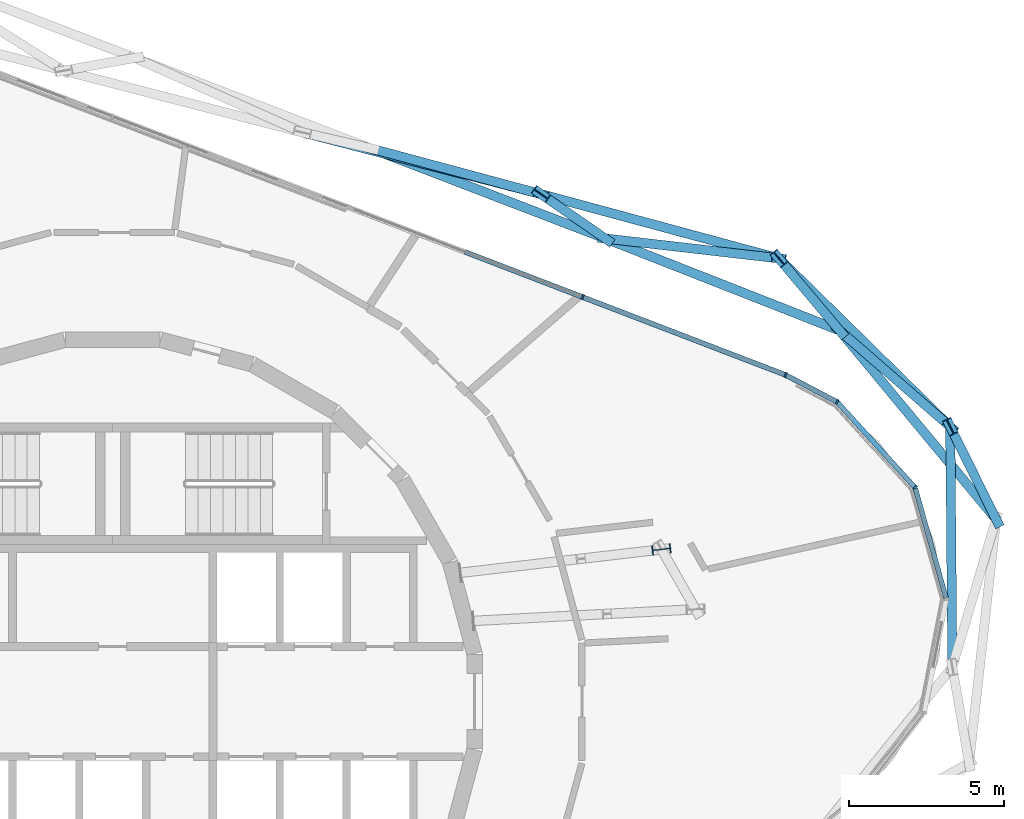
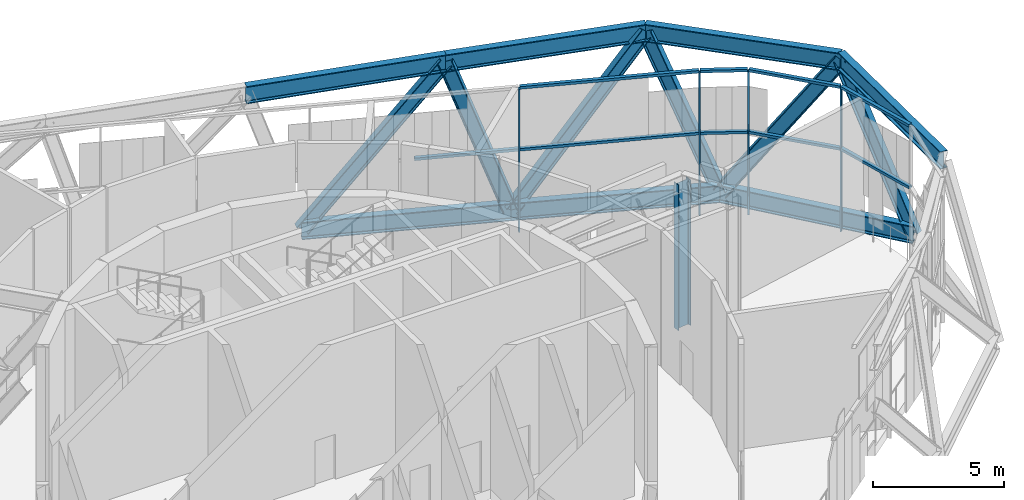
# One storey, part 9 of 25: 27 members, 2 elements without a shape of their own.
"""IFC4 building model written with IfcOpenShell, lengths in metres."""

from ifc_helpers import new_model, si_unit, direction, frame, origin, origin_2d, place, context, subcontext, project, spatial, rectangle, i_section, extrude, material, layer, layer_set, material_profile, profile_set, type_object, element, aggregate, save


model = new_model("IFC4")

# Units and contexts
model_context = context("Model", 3, precision=1e-05, world=origin(), true_north=direction((0.0, 1.0)))
body_context = subcontext(model_context, "Body", "Model", "MODEL_VIEW")
ifc_project = project(units=[si_unit("LENGTHUNIT", "METRE"), si_unit("AREAUNIT", "SQUARE_METRE"), si_unit("VOLUMEUNIT", "CUBIC_METRE"), si_unit("PLANEANGLEUNIT", "RADIAN"), si_unit("MASSUNIT", "GRAM", prefix="KILO")], contexts=[model_context])

# Site, building, storey
site_placement = place(None, origin())
site = spatial("IfcSite", under=ifc_project, at=site_placement, CompositionType="ELEMENT")
building_placement = place(site_placement, origin())
building = spatial("IfcBuilding", under=site, at=building_placement, Name="Spindle Arch Residences", CompositionType="ELEMENT")
storey_placement = place(building_placement, frame((0.0, 0.0, 291.39990234375)))
storey = spatial("IfcBuildingStorey", under=building, at=storey_placement, Name="L75", CompositionType="ELEMENT", Elevation=291.39990234375)

# Members
ifc_material_1 = material(Name="Steel S460ML, intumescent coating R 240", Category="steel")
ifc_material_profile_1 = material_profile(ifc_material_1, i_section(OverallWidth=0.302978515625, OverallDepth=0.81396484375, WebThickness=0.02099609375, FlangeThickness=0.0400390625, FilletRadius=0.030029296875, at=origin_2d()), Name="HEM 800")
ifc_profile_set_1 = profile_set([ifc_material_profile_1], Name="Steel S460ML, intumescent coating R 240")
member_type_1 = type_object("IfcMemberType", Name="Belt truss chord HEM 800", PredefinedType="CHORD", material=ifc_profile_set_1)
member_1_placement = place(storey_placement, frame((28.43505859375, 5.86767578125, -0.85693359375), z_axis=(-0.63825315383, 0.769826546455, 0.0), x_axis=(-0.769826546455, -0.63825315383, 0.0)))
element("IfcMember", 1, at=member_1_placement, inside=storey, type_object=member_type_1, Name="Belt truss bottom chord L75.4", PredefinedType="CHORD", context=body_context, shape_type="SweptSolid", body=[
    extrude(i_section(OverallWidth=0.302978515625, OverallDepth=0.81396484375, WebThickness=0.02099609375, FlangeThickness=0.0400390625, FilletRadius=0.030029296875, at=origin_2d()), origin(), (0.0, 0.0, 1.0), 7.8916015625),
])
member_2_placement = place(storey_placement, frame((23.398193359375, 11.94287109375, -0.85693359375), z_axis=(-0.930817743536, 0.365483690906, 0.0), x_axis=(-0.365483690906, -0.930817743536, 0.0)))
element("IfcMember", 2, at=member_2_placement, inside=storey, type_object=member_type_1, Name="Belt truss bottom chord L75.5", PredefinedType="CHORD", context=body_context, shape_type="SweptSolid", body=[
    extrude(i_section(OverallWidth=0.302978515625, OverallDepth=0.81396484375, WebThickness=0.02099609375, FlangeThickness=0.0400390625, FilletRadius=0.030029296875, at=origin_2d()), origin(), (0.0, 0.0, 1.0), 8.10546875),
])
member_3_placement = place(storey_placement, frame((15.853515625, 14.9052734375, -0.85693359375), z_axis=(-0.933583655709, 0.358359537047, 0.0), x_axis=(-0.358359537047, -0.933583655709, 0.0)))
element("IfcMember", 3, at=member_3_placement, inside=storey, type_object=member_type_1, Name="Belt truss bottom chord L75.6", PredefinedType="CHORD", context=body_context, shape_type="SweptSolid", body=[
    extrude(i_section(OverallWidth=0.302978515625, OverallDepth=0.81396484375, WebThickness=0.02099609375, FlangeThickness=0.0400390625, FilletRadius=0.030029296875, at=origin_2d()), origin(), (0.0, 0.0, 1.0), 8.10791015625),
])
for number, where, z_axis, x_axis, name in (
    (4, (27.0263671875, 1.11279296875, 5.943115234375), (-0.00861928072, 0.99996285331, 0.0), (-0.99996285331, -0.00861928072, 0.0), "Belt truss top chord L75.3"),
    (5, (26.959716796875, 8.84521484375, 5.943115234375), (-0.713393196392, 0.700763974061, 0.0), (-0.700763974061, -0.713393196392, 0.0), "Belt truss top chord L75.4"),
):
    element("IfcMember", number, at=place(storey_placement, frame(where, z_axis=z_axis, x_axis=x_axis)), inside=storey, type_object=member_type_1, Name=name, PredefinedType="CHORD", context=body_context, shape_type="SweptSolid", body=[
        extrude(i_section(OverallWidth=0.302978515625, OverallDepth=0.81396484375, WebThickness=0.02099609375, FlangeThickness=0.0400390625, FilletRadius=0.030029296875, at=origin_2d()), origin(), (0.0, 0.0, 1.0), 7.732666015625),
    ])
member_4_placement = place(storey_placement, frame((21.443359375, 14.263916015625, 5.943115234375), z_axis=(-0.965377011085, 0.260858633113, 0.0), x_axis=(-0.260858633113, -0.965377011085, 0.0)))
element("IfcMember", 6, at=member_4_placement, inside=storey, type_object=member_type_1, Name="Belt truss top chord L75.5", PredefinedType="CHORD", context=body_context, shape_type="SweptSolid", body=[
    extrude(i_section(OverallWidth=0.302978515625, OverallDepth=0.81396484375, WebThickness=0.02099609375, FlangeThickness=0.0400390625, FilletRadius=0.030029296875, at=origin_2d()), origin(), (0.0, 0.0, 1.0), 7.931884765625),
])
member_5_placement = place(storey_placement, frame((13.7861328125, 16.3330078125, 5.943115234375), z_axis=(-0.968145111287, 0.25038978312, 0.0), x_axis=(-0.25038978312, -0.968145111287, 0.0)))
element("IfcMember", 7, at=member_5_placement, inside=storey, type_object=member_type_1, Name="Belt truss top chord L75.6", PredefinedType="CHORD", context=body_context, shape_type="SweptSolid", body=[
    extrude(i_section(OverallWidth=0.302978515625, OverallDepth=0.81396484375, WebThickness=0.02099609375, FlangeThickness=0.0400390625, FilletRadius=0.030029296875, at=origin_2d()), origin(), (0.0, 0.0, 1.0), 7.934814453125),
])
ifc_material_2 = material(Name="Steel S460ML, intumescent coating R 240", Category="steel")
ifc_material_profile_2 = material_profile(ifc_material_2, i_section(OverallWidth=0.300048828125, OverallDepth=0.60009765625, WebThickness=0.015380859375, FlangeThickness=0.030029296875, FilletRadius=0.027099609375, at=origin_2d()), Name="HEB 600")
ifc_profile_set_2 = profile_set([ifc_material_profile_2], Name="Steel S460ML, intumescent coating R 240")
member_type_2 = type_object("IfcMemberType", Name="Belt truss diagonal HEB 600", PredefinedType="BRACE", material=ifc_profile_set_2)
member_6_placement = place(storey_placement, frame((28.43505859375, 5.86767578125, -0.85693359375), z_axis=(-0.194930425685, 0.393409146393, 0.898460557107), x_axis=(-0.896037684769, -0.443978003367, 0.0)))
element("IfcMember", 8, at=member_6_placement, inside=storey, type_object=member_type_2, Name="Belt truss diagonal L75.4.4", PredefinedType="BRACE", context=body_context, shape_type="SweptSolid", body=[
    extrude(i_section(OverallWidth=0.300048828125, OverallDepth=0.60009765625, WebThickness=0.015380859375, FlangeThickness=0.030029296875, FilletRadius=0.027099609375, at=origin_2d()), origin(), (0.0, 0.0, 1.0), 7.568603515625),
])
member_7_placement = place(storey_placement, frame((23.398193359375, 11.94287109375, -0.85693359375), z_axis=(0.430254347824, -0.374216284973, 0.821488507673), x_axis=(0.656260666026, 0.754534252521, 0.0)))
element("IfcMember", 9, at=member_7_placement, inside=storey, type_object=member_type_2, Name="Belt truss diagonal L75.4.5", PredefinedType="BRACE", context=body_context, shape_type="SweptSolid", body=[
    extrude(i_section(OverallWidth=0.300048828125, OverallDepth=0.60009765625, WebThickness=0.015380859375, FlangeThickness=0.030029296875, FilletRadius=0.027099609375, at=origin_2d()), origin(), (0.0, 0.0, 1.0), 8.27783203125),
])
member_8_placement = place(storey_placement, frame((23.398193359375, 11.94287109375, -0.85693359375), z_axis=(-0.262519692993, 0.311699103445, 0.913196079548), x_axis=(-0.764867383976, -0.644187771484, 0.0)))
element("IfcMember", 10, at=member_8_placement, inside=storey, type_object=member_type_2, Name="Belt truss diagonal L75.5.5", PredefinedType="BRACE", context=body_context, shape_type="SweptSolid", body=[
    extrude(i_section(OverallWidth=0.300048828125, OverallDepth=0.60009765625, WebThickness=0.015380859375, FlangeThickness=0.030029296875, FilletRadius=0.027099609375, at=origin_2d()), origin(), (0.0, 0.0, 1.0), 7.446533203125),
])
member_9_placement = place(storey_placement, frame((15.853515625, 14.9052734375, -0.85693359375), z_axis=(0.633337962802, -0.072666790194, 0.770456074333), x_axis=(0.113988357736, 0.993482085546, 0.0)))
element("IfcMember", 11, at=member_9_placement, inside=storey, type_object=member_type_2, Name="Belt truss diagonal L75.5.6", PredefinedType="BRACE", context=body_context, shape_type="SweptSolid", body=[
    extrude(i_section(OverallWidth=0.300048828125, OverallDepth=0.60009765625, WebThickness=0.015380859375, FlangeThickness=0.030029296875, FilletRadius=0.027099609375, at=origin_2d()), origin(), (0.0, 0.0, 1.0), 8.825927734375),
])
member_10_placement = place(storey_placement, frame((15.853515625, 14.9052734375, -0.85693359375), z_axis=(-0.285181585277, 0.19694637585, 0.938021102352), x_axis=(-0.568259649123, -0.822849300406, 0.0)))
element("IfcMember", 12, at=member_10_placement, inside=storey, type_object=member_type_2, Name="Belt truss diagonal L75.6.6", PredefinedType="BRACE", context=body_context, shape_type="SweptSolid", body=[
    extrude(i_section(OverallWidth=0.300048828125, OverallDepth=0.60009765625, WebThickness=0.015380859375, FlangeThickness=0.030029296875, FilletRadius=0.027099609375, at=origin_2d()), origin(), (0.0, 0.0, 1.0), 7.249267578125),
])
member_11_placement = place(storey_placement, frame((8.2841796875, 17.810791015625, -0.85693359375), z_axis=(0.620212577756, -0.166584430829, 0.766541574736), x_axis=(0.259398644315, 0.96577033674, 0.0)))
element("IfcMember", 13, at=member_11_placement, inside=storey, type_object=member_type_2, Name="Belt truss diagonal L75.6.7", PredefinedType="BRACE", context=body_context, shape_type="SweptSolid", body=[
    extrude(i_section(OverallWidth=0.300048828125, OverallDepth=0.60009765625, WebThickness=0.015380859375, FlangeThickness=0.030029296875, FilletRadius=0.027099609375, at=origin_2d()), origin(), (0.0, 0.0, 1.0), 8.87109375),
])

# Curtain wall, members
ifc_material_3 = material(Name="Aluminium bronze unitised frame with tinted glass", Category="aluminium")
ifc_layer = layer(ifc_material_3, 0.159912109375)
ifc_layer_set = layer_set([ifc_layer], Name="CW-E double-height winter garden wall")
curtain_wall_type = type_object("IfcCurtainWallType", Name="CW-E double-height winter garden wall", PredefinedType="NOTDEFINED", material=ifc_layer_set)
curtain_wall_1_placement = place(storey_placement, origin())
curtain_wall_1 = element("IfcCurtainWall", 14, at=curtain_wall_1_placement, inside=storey, type_object=curtain_wall_type, Name="CW-E L75 run 1", PredefinedType="NOTDEFINED")
ifc_material_4 = material(Name="Aluminium bronze anodised mullion", Category="aluminium")
ifc_material_profile_3 = material_profile(ifc_material_4, rectangle(XDim=0.159912109375, YDim=0.06005859375, at=origin_2d()), Name="MU 60x160")
ifc_profile_set_3 = profile_set([ifc_material_profile_3], Name="Aluminium bronze anodised mullion")
member_type_3 = type_object("IfcMemberType", Name="Bronze mullion 60x160", PredefinedType="MULLION", material=ifc_profile_set_3)
member_12_placement = place(storey_placement, frame((25.826171875, 6.888427734375, -0.449951171875), z_axis=(0.0, 0.0, 1.0), x_axis=(-0.73923942464, -0.673442702134, 0.0)))
member_12 = element("IfcMember", 15, at=member_12_placement, type_object=member_type_3, Name="CW-E mullion 04", PredefinedType="MULLION", context=body_context, shape_type="SweptSolid", body=[
    extrude(rectangle(XDim=0.159912109375, YDim=0.06005859375, at=origin_2d()), origin(), (0.0, 0.0, 1.0), 6.679931640625),
])
member_13_placement = place(storey_placement, frame((23.316650390625, 9.643310546875, -0.449951171875), z_axis=(0.0, 0.0, 1.0), x_axis=(-0.464326860783, -0.885663912754, 0.0)))
member_13 = element("IfcMember", 16, at=member_13_placement, type_object=member_type_3, Name="CW-E mullion 05", PredefinedType="MULLION", context=body_context, shape_type="SweptSolid", body=[
    extrude(rectangle(XDim=0.159912109375, YDim=0.06005859375, at=origin_2d()), origin(), (0.0, 0.0, 1.0), 6.679931640625),
])
member_14_placement = place(storey_placement, frame((21.655029296875, 10.514404296875, -0.449951171875), z_axis=(0.0, 0.0, 1.0), x_axis=(-0.358367949545, -0.933580426497, 0.0)))
member_14 = element("IfcMember", 17, at=member_14_placement, type_object=member_type_3, Name="CW-E mullion 06", PredefinedType="MULLION", context=body_context, shape_type="SweptSolid", body=[
    extrude(rectangle(XDim=0.159912109375, YDim=0.06005859375, at=origin_2d()), origin(), (0.0, 0.0, 1.0), 6.679931640625),
])

# Curtain wall, member
curtain_wall_2_placement = place(storey_placement, origin())
curtain_wall_2 = element("IfcCurtainWall", 18, at=curtain_wall_2_placement, inside=storey, type_object=curtain_wall_type, Name="CW-E L75 run 2", PredefinedType="NOTDEFINED")
member_15_placement = place(storey_placement, frame((15.12939453125, 13.01953125, -0.449951171875), z_axis=(0.0, 0.0, 1.0), x_axis=(-0.358367949545, -0.933580426497, 0.0)))
member_15 = element("IfcMember", 19, at=member_15_placement, type_object=member_type_3, Name="CW-E mullion 05", PredefinedType="MULLION", context=body_context, shape_type="SweptSolid", body=[
    extrude(rectangle(XDim=0.159912109375, YDim=0.06005859375, at=origin_2d()), origin(), (0.0, 0.0, 1.0), 6.679931640625),
])

# Member
ifc_material_5 = material(Name="Aluminium bronze anodised transom", Category="aluminium")
ifc_material_profile_4 = material_profile(ifc_material_5, rectangle(XDim=0.159912109375, YDim=0.1201171875, at=origin_2d()), Name="TR 120x160")
ifc_profile_set_4 = profile_set([ifc_material_profile_4], Name="Aluminium bronze anodised transom")
member_type_4 = type_object("IfcMemberType", Name="Bronze transom 120x160", PredefinedType="USERDEFINED", material=ifc_profile_set_4)
member_16_placement = place(storey_placement, frame((26.824462890625, 3.3291015625, 6.2900390625), z_axis=(-0.26999542292, 0.962861605633, 0.0), x_axis=(-0.962861605633, -0.26999542292, 0.0)))
member_16 = element("IfcMember", 20, at=member_16_placement, type_object=member_type_4, Name="CW-E transom 03", ObjectType="TRANSOM", PredefinedType="USERDEFINED", context=body_context, shape_type="SweptSolid", body=[
    extrude(rectangle(XDim=0.159912109375, YDim=0.1201171875, at=origin_2d()), origin(), (0.0, 0.0, 1.0), 3.666748046875),
])

member_17_placement = place(storey_placement, frame((26.824462890625, 3.3291015625, 3.400146484375), z_axis=(-0.26999542292, 0.962861605633, 0.0), x_axis=(-0.962861605633, -0.26999542292, 0.0)))
member_17 = element("IfcMember", 21, at=member_17_placement, type_object=member_type_4, Name="CW-E transom 03m", ObjectType="TRANSOM", PredefinedType="USERDEFINED", context=body_context, shape_type="SweptSolid", body=[
    extrude(rectangle(XDim=0.159912109375, YDim=0.1201171875, at=origin_2d()), origin(), (0.0, 0.0, 1.0), 3.666748046875),
])

member_18_placement = place(storey_placement, frame((25.80615234375, 6.91064453125, 6.2900390625), z_axis=(-0.673451190177, 0.739231691995, 0.0), x_axis=(-0.739231691995, -0.673451190177, 0.0)))
member_18 = element("IfcMember", 22, at=member_18_placement, type_object=member_type_4, Name="CW-E transom 04", ObjectType="TRANSOM", PredefinedType="USERDEFINED", context=body_context, shape_type="SweptSolid", body=[
    extrude(rectangle(XDim=0.159912109375, YDim=0.1201171875, at=origin_2d()), origin(), (0.0, 0.0, 1.0), 3.6669921875),
])

member_19_placement = place(storey_placement, frame((25.80615234375, 6.91064453125, 3.400146484375), z_axis=(-0.673451190177, 0.739231691995, 0.0), x_axis=(-0.739231691995, -0.673451190177, 0.0)))
member_19 = element("IfcMember", 23, at=member_19_placement, type_object=member_type_4, Name="CW-E transom 04m", ObjectType="TRANSOM", PredefinedType="USERDEFINED", context=body_context, shape_type="SweptSolid", body=[
    extrude(rectangle(XDim=0.159912109375, YDim=0.1201171875, at=origin_2d()), origin(), (0.0, 0.0, 1.0), 3.6669921875),
])

member_20_placement = place(storey_placement, frame((23.2900390625, 9.6572265625, 6.2900390625), z_axis=(-0.885657808089, 0.464338504726, 0.0), x_axis=(-0.464338504726, -0.885657808089, 0.0)))
member_20 = element("IfcMember", 24, at=member_20_placement, type_object=member_type_4, Name="CW-E transom 05", ObjectType="TRANSOM", PredefinedType="USERDEFINED", context=body_context, shape_type="SweptSolid", body=[
    extrude(rectangle(XDim=0.159912109375, YDim=0.1201171875, at=origin_2d()), origin(), (0.0, 0.0, 1.0), 1.816162109375),
])

member_21_placement = place(storey_placement, frame((23.2900390625, 9.6572265625, 3.400146484375), z_axis=(-0.885657808089, 0.464338504726, 0.0), x_axis=(-0.464338504726, -0.885657808089, 0.0)))
member_21 = element("IfcMember", 25, at=member_21_placement, type_object=member_type_4, Name="CW-E transom 05m", ObjectType="TRANSOM", PredefinedType="USERDEFINED", context=body_context, shape_type="SweptSolid", body=[
    extrude(rectangle(XDim=0.159912109375, YDim=0.1201171875, at=origin_2d()), origin(), (0.0, 0.0, 1.0), 1.816162109375),
])

member_22_placement = place(storey_placement, frame((21.626953125, 10.525390625, 6.2900390625), z_axis=(-0.933580580487, 0.358367548387, 0.0), x_axis=(-0.358367548387, -0.933580580487, 0.0)))
member_22 = element("IfcMember", 26, at=member_22_placement, type_object=member_type_4, Name="CW-E transom 06", ObjectType="TRANSOM", PredefinedType="USERDEFINED", context=body_context, shape_type="SweptSolid", body=[
    extrude(rectangle(XDim=0.159912109375, YDim=0.1201171875, at=origin_2d()), origin(), (0.0, 0.0, 1.0), 6.9296875),
])

member_23_placement = place(storey_placement, frame((21.626953125, 10.525390625, 3.400146484375), z_axis=(-0.933580580487, 0.358367548387, 0.0), x_axis=(-0.358367548387, -0.933580580487, 0.0)))
member_23 = element("IfcMember", 27, at=member_23_placement, type_object=member_type_4, Name="CW-E transom 06m", ObjectType="TRANSOM", PredefinedType="USERDEFINED", context=body_context, shape_type="SweptSolid", body=[
    extrude(rectangle(XDim=0.159912109375, YDim=0.1201171875, at=origin_2d()), origin(), (0.0, 0.0, 1.0), 6.9296875),
])

aggregate(curtain_wall_1, [member_16, member_17, member_12, member_18, member_19, member_13, member_20, member_21, member_14, member_22, member_23])

member_24_placement = place(storey_placement, frame((15.1015625, 13.0302734375, 3.400146484375), z_axis=(-0.933590898711, 0.358340667303, 0.0), x_axis=(-0.358340667303, -0.933590898711, 0.0)))
member_24 = element("IfcMember", 28, at=member_24_placement, type_object=member_type_4, Name="CW-E transom 05Am", ObjectType="TRANSOM", PredefinedType="USERDEFINED", context=body_context, shape_type="SweptSolid", body=[
    extrude(rectangle(XDim=0.159912109375, YDim=0.1201171875, at=origin_2d()), origin(), (0.0, 0.0, 1.0), 4.02392578125),
])

aggregate(curtain_wall_2, [member_15, member_24])

ifc_material_6 = material(Name="Steel S460ML, intumescent coating R 240", Category="steel")
ifc_material_profile_5 = material_profile(ifc_material_6, i_section(OverallWidth=0.300048828125, OverallDepth=0.60009765625, WebThickness=0.015380859375, FlangeThickness=0.030029296875, FilletRadius=0.027099609375, at=origin_2d()), Name="HEB 600")
ifc_profile_set_5 = profile_set([ifc_material_profile_5], Name="Steel S460ML, intumescent coating R 240")
member_type_5 = type_object("IfcMemberType", Name="Transfer truss post HEB 600", PredefinedType="POST", material=ifc_profile_set_5)
member_25_placement = place(storey_placement, frame((17.66259765625, 4.898193359375, -0.85693359375), z_axis=(0.0, 0.0, 1.0), x_axis=(0.115814787315, -0.993270826632, 0.0)))
element("IfcMember", 29, at=member_25_placement, inside=storey, type_object=member_type_5, Name="Transfer truss post L75", PredefinedType="POST", context=body_context, shape_type="SweptSolid", body=[
    extrude(i_section(OverallWidth=0.300048828125, OverallDepth=0.60009765625, WebThickness=0.015380859375, FlangeThickness=0.030029296875, FilletRadius=0.027099609375, at=origin_2d()), origin(), (0.0, 0.0, 1.0), 6.800048828125),
])

save(model, "model.ifc")
